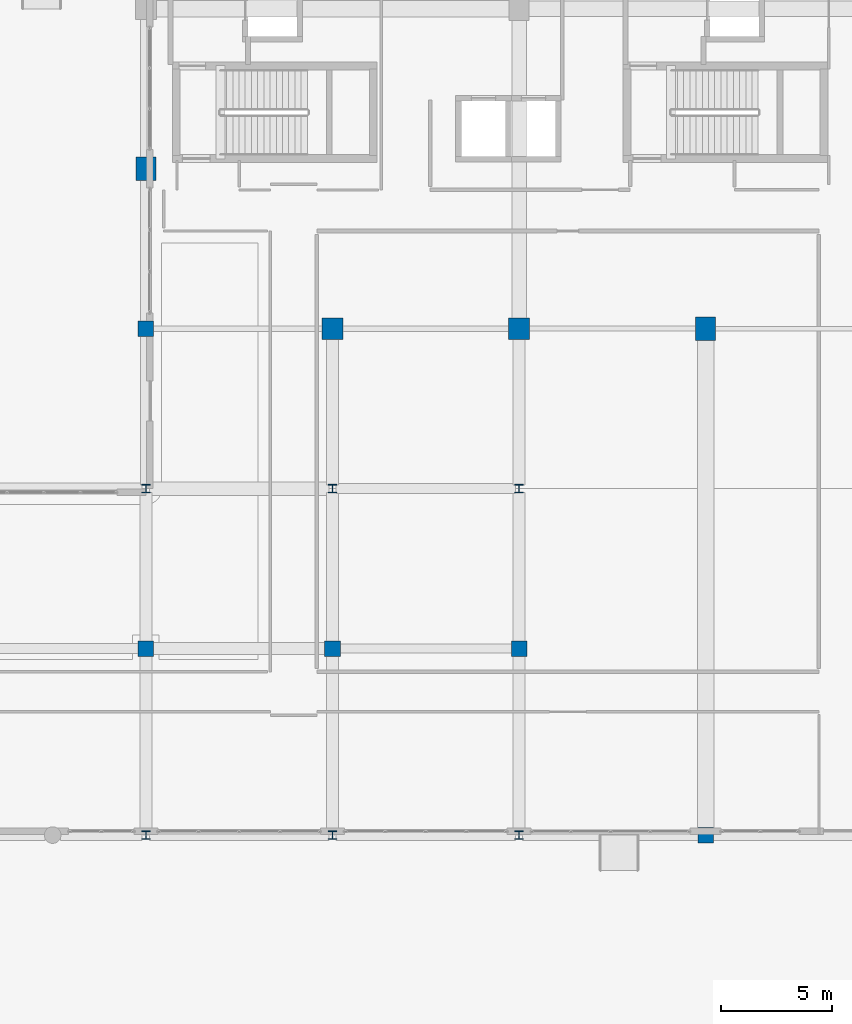
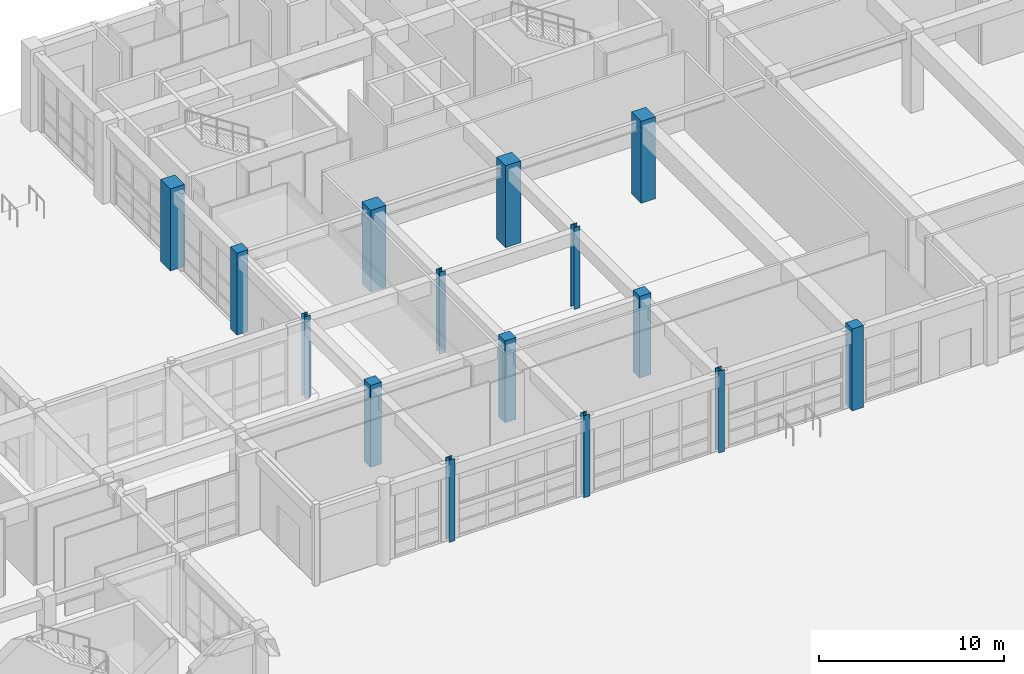
# One storey, part 7 of 148: 15 columns.
"""IFC4 building model written with IfcOpenShell, lengths in metres."""

from ifc_helpers import new_model, si_unit, direction, frame, origin, origin_2d, place, context, subcontext, project, spatial, rectangle, i_section, extrude, material, material_profile, profile_set, type_object, element, save


model = new_model("IFC4")

# Units and contexts
model_context = context("Model", 3, precision=1e-05, world=origin(), true_north=direction((0.0, 1.0)))
body_context = subcontext(model_context, "Body", "Model", "MODEL_VIEW")
ifc_project = project(units=[si_unit("LENGTHUNIT", "METRE"), si_unit("AREAUNIT", "SQUARE_METRE"), si_unit("VOLUMEUNIT", "CUBIC_METRE"), si_unit("PLANEANGLEUNIT", "RADIAN"), si_unit("MASSUNIT", "GRAM", prefix="KILO")], contexts=[model_context])

# Site, building, storey
site_placement = place(None, origin())
site = spatial("IfcSite", under=ifc_project, at=site_placement, CompositionType="ELEMENT")
building_placement = place(site_placement, origin())
building = spatial("IfcBuilding", under=site, at=building_placement, Name="Quendrovan Civic Courthouse", CompositionType="ELEMENT")
storey_placement = place(building_placement, origin())
storey = spatial("IfcBuildingStorey", under=building, at=storey_placement, Name="L01", CompositionType="ELEMENT", Elevation=0.0)

# Columns
ifc_material_1 = material(Name="Concrete C45/55", Category="concrete")
ifc_material_profile_1 = material_profile(ifc_material_1, rectangle(XDim=0.89990234375, YDim=1.050048828125, at=origin_2d()), Name="RC-COL-900x1050")
ifc_profile_set_1 = profile_set([ifc_material_profile_1], Name="Concrete C45/55")
column_type_1 = type_object("IfcColumnType", Name="COL-RC-900x1050", PredefinedType="COLUMN", material=ifc_profile_set_1)
for number, where, z_axis, x_axis, name in (
    (1, (33.60009765625, 94.800048828125, 0.0), (0.0, 0.0, 1.0), (1.0, 0.0, 0.0), "L01 Column 5-N"),
    (2, (58.800048828125, 87.60009765625, 0.0), (0.0, 0.0, 1.0), (1.0, 0.0, 0.0), "L01 Column 8-M"),
):
    element("IfcColumn", number, at=place(storey_placement, frame(where, z_axis=z_axis, x_axis=x_axis)), inside=storey, type_object=column_type_1, Name=name, PredefinedType="COLUMN", context=body_context, shape_type="SweptSolid", body=[
        extrude(rectangle(XDim=0.89990234375, YDim=1.050048828125, at=origin_2d()), origin(), (0.0, 0.0, 1.0), 5.39990234375),
    ])
ifc_material_profile_2 = material_profile(ifc_material_1, rectangle(XDim=0.699951171875, YDim=0.699951171875, at=origin_2d()), Name="RC-COL-700x700")
ifc_profile_set_2 = profile_set([ifc_material_profile_2], Name="Concrete C45/55")
column_type_2 = type_object("IfcColumnType", Name="COL-RC700", PredefinedType="COLUMN", material=ifc_profile_set_2)
for number, where, z_axis, x_axis, name in (
    (3, (33.60009765625, 73.199951171875, 0.0), (0.0, 0.0, 1.0), (1.0, 0.0, 0.0), "L01 Column 5-K"),
    (4, (33.60009765625, 87.60009765625, 0.0), (0.0, 0.0, 1.0), (1.0, 0.0, 0.0), "L01 Column 5-M"),
    (5, (42.0, 73.199951171875, 0.0), (0.0, 0.0, 1.0), (1.0, 0.0, 0.0), "L01 Column 6-K"),
    (6, (50.39990234375, 73.199951171875, 0.0), (0.0, 0.0, 1.0), (1.0, 0.0, 0.0), "L01 Column 7-K"),
    (7, (58.800048828125, 64.800048828125, 0.0), (0.0, 0.0, 1.0), (1.0, 0.0, 0.0), "L01 Column 8-J"),
):
    element("IfcColumn", number, at=place(storey_placement, frame(where, z_axis=z_axis, x_axis=x_axis)), inside=storey, type_object=column_type_2, Name=name, PredefinedType="COLUMN", context=body_context, shape_type="SweptSolid", body=[
        extrude(rectangle(XDim=0.699951171875, YDim=0.699951171875, at=origin_2d()), origin(), (0.0, 0.0, 1.0), 5.39990234375),
    ])
ifc_material_profile_3 = material_profile(ifc_material_1, rectangle(XDim=0.949951171875, YDim=0.949951171875, at=origin_2d()), Name="RC-COL-950x950")
ifc_profile_set_3 = profile_set([ifc_material_profile_3], Name="Concrete C45/55")
column_type_3 = type_object("IfcColumnType", Name="COL-RC950", PredefinedType="COLUMN", material=ifc_profile_set_3)
for number, where, z_axis, x_axis, name in (
    (8, (42.0, 87.60009765625, 0.0), (0.0, 0.0, 1.0), (1.0, 0.0, 0.0), "L01 Column 6-M"),
    (9, (50.39990234375, 87.60009765625, 0.0), (0.0, 0.0, 1.0), (1.0, 0.0, 0.0), "L01 Column 7-M"),
):
    element("IfcColumn", number, at=place(storey_placement, frame(where, z_axis=z_axis, x_axis=x_axis)), inside=storey, type_object=column_type_3, Name=name, PredefinedType="COLUMN", context=body_context, shape_type="SweptSolid", body=[
        extrude(rectangle(XDim=0.949951171875, YDim=0.949951171875, at=origin_2d()), origin(), (0.0, 0.0, 1.0), 5.39990234375),
    ])
ifc_material_2 = material(Name="Steel ASTM A992 Grade 50", Category="steel")
ifc_material_profile_4 = material_profile(ifc_material_2, i_section(OverallWidth=0.3740234375, OverallDepth=0.3720703125, WebThickness=0.016357421875, FlangeThickness=0.026123046875, at=origin_2d()), Name="W14X132")
ifc_profile_set_4 = profile_set([ifc_material_profile_4], Name="Steel ASTM A992 Grade 50")
column_type_4 = type_object("IfcColumnType", Name="COL-STL-W14X132", PredefinedType="COLUMN", material=ifc_profile_set_4)
for number, where, z_axis, x_axis, name in (
    (10, (33.60009765625, 64.800048828125, 0.0), (0.0, 0.0, 1.0), (1.0, 0.0, 0.0), "L01 Column 5-J"),
    (11, (33.60009765625, 80.39990234375, 0.0), (0.0, 0.0, 1.0), (1.0, 0.0, 0.0), "L01 Column 5-L"),
    (12, (42.0, 64.800048828125, 0.0), (0.0, 0.0, 1.0), (1.0, 0.0, 0.0), "L01 Column 6-J"),
    (13, (42.0, 80.39990234375, 0.0), (0.0, 0.0, 1.0), (1.0, 0.0, 0.0), "L01 Column 6-L"),
    (14, (50.39990234375, 64.800048828125, 0.0), (0.0, 0.0, 1.0), (1.0, 0.0, 0.0), "L01 Column 7-J"),
    (15, (50.39990234375, 80.39990234375, 0.0), (0.0, 0.0, 1.0), (1.0, 0.0, 0.0), "L01 Column 7-L"),
):
    element("IfcColumn", number, at=place(storey_placement, frame(where, z_axis=z_axis, x_axis=x_axis)), inside=storey, type_object=column_type_4, Name=name, PredefinedType="COLUMN", context=body_context, shape_type="SweptSolid", body=[
        extrude(i_section(OverallWidth=0.3740234375, OverallDepth=0.3720703125, WebThickness=0.016357421875, FlangeThickness=0.026123046875, at=origin_2d()), origin(), (0.0, 0.0, 1.0), 5.39990234375),
    ])

save(model, "model.ifc")
